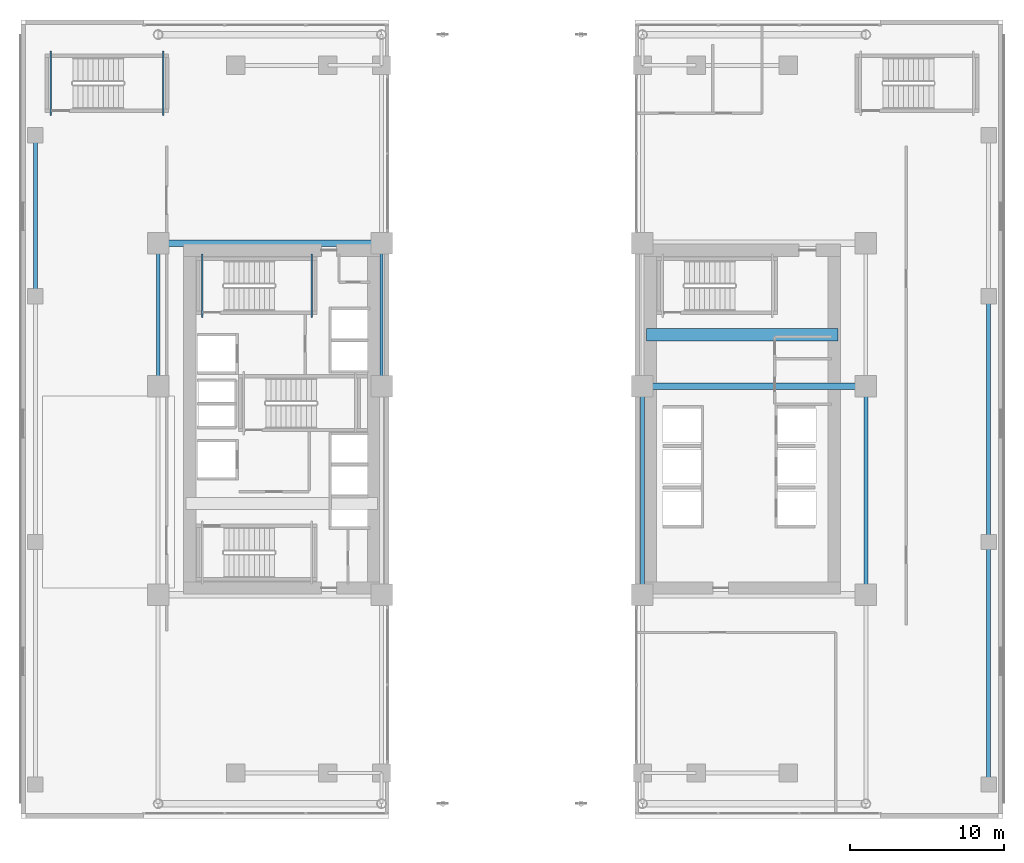
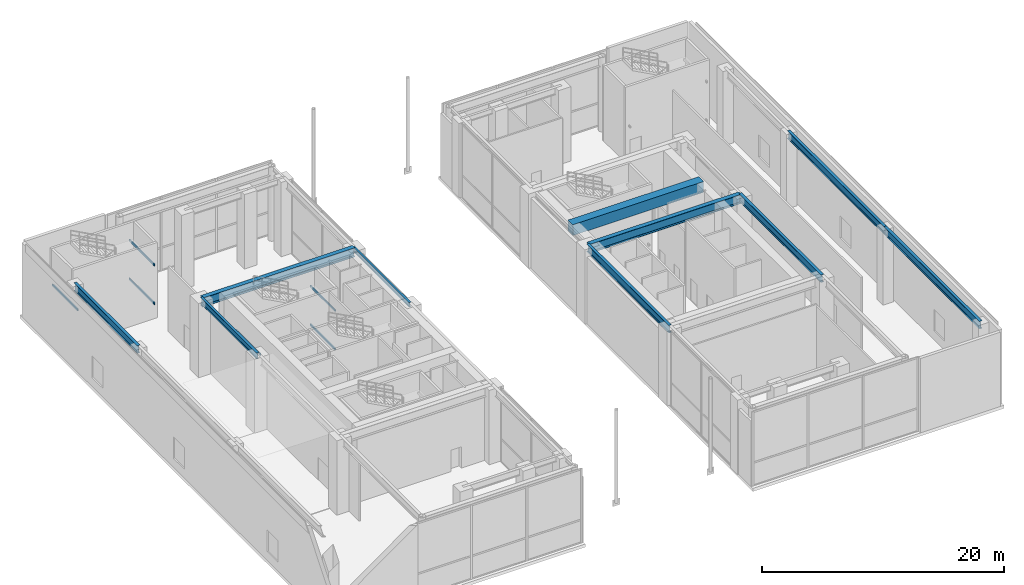
# One storey, part 11 of 29: 16 beams.
"""IFC4 building model written with IfcOpenShell, lengths in metres."""

from ifc_helpers import new_model, si_unit, direction, frame, origin, origin_2d, place, context, subcontext, project, spatial, rectangle, hollow_rectangle, i_section, extrude, source, transform, mapped, material, material_profile, profile_set, type_object, element, save


model = new_model("IFC4")

# Units and contexts
model_context = context("Model", 3, precision=1e-05, world=origin(), true_north=direction((0.0, 1.0)))
body_context = subcontext(model_context, "Body", "Model", "MODEL_VIEW")
ifc_project = project(units=[si_unit("LENGTHUNIT", "METRE"), si_unit("AREAUNIT", "SQUARE_METRE"), si_unit("VOLUMEUNIT", "CUBIC_METRE"), si_unit("PLANEANGLEUNIT", "RADIAN"), si_unit("MASSUNIT", "GRAM", prefix="KILO")], contexts=[model_context])

# Site, building, storey
site_placement = place(None, origin())
site = spatial("IfcSite", under=ifc_project, at=site_placement, CompositionType="ELEMENT")
building_placement = place(site_placement, origin())
building = spatial("IfcBuilding", under=site, at=building_placement, Name="Ocotamira Hotel", CompositionType="ELEMENT")
storey_placement = place(building_placement, frame((0.0, 0.0, 11.39990234375)))
storey = spatial("IfcBuildingStorey", under=building, at=storey_placement, Name="L03", CompositionType="ELEMENT", Elevation=11.39990234375)

# Beams
ifc_material_1 = material(Name="Concrete C60/75", Category="concrete")
ifc_material_profile_1 = material_profile(ifc_material_1, rectangle(XDim=0.800048828125, YDim=1.10009765625, at=origin_2d()), Name="RC800X1100")
ifc_profile_set_1 = profile_set([ifc_material_profile_1], Name="Concrete C60/75")
beam_type_1 = type_object("IfcBeamType", Name="BM-LINK-RC800", PredefinedType="LINTEL", material=ifc_profile_set_1)
shared_shape_1 = source(origin(), body_context, "Body", "SweptSolid", [
    extrude(rectangle(XDim=0.800048828125, YDim=1.10009765625, at=origin_2d()), origin(), (0.0, 0.0, 1.0), 12.5),
])
beam_1_placement = place(storey_placement, frame((40.75, 31.5, 6.960205078125), z_axis=(1.0, 0.0, 0.0), x_axis=(0.0, 1.0, 0.0)))
element("IfcBeam", 1, at=beam_1_placement, inside=storey, type_object=beam_type_1, Name="L03 East Core Coupling Beam", PredefinedType="LINTEL", context=body_context, shape_type="MappedRepresentation", body=[
    mapped(shared_shape_1, transform((0.0, 0.0, 0.0), scale=1.0)),
])
ifc_material_2 = material(Name="Steel ASTM A500 Grade C", Category="steel")
ifc_material_profile_2 = material_profile(ifc_material_2, hollow_rectangle(XDim=0.10009765625, YDim=0.199951171875, WallThickness=0.008056640625, at=origin_2d()), Name="HSS200X100X8")
ifc_profile_set_2 = profile_set([ifc_material_profile_2], Name="Steel ASTM A500 Grade C")
beam_type_2 = type_object("IfcBeamType", Name="BM-STLDG-HSS200", PredefinedType="BEAM", material=ifc_profile_set_2)
shared_shape_2 = source(origin(), body_context, "Body", "SweptSolid", [
    extrude(hollow_rectangle(XDim=0.10009765625, YDim=0.199951171875, WallThickness=0.008056640625, at=origin_2d()), origin(), (0.0, 0.0, 1.0), 4.1201171875),
])
for number, where, z_axis, x_axis, name in (
    (2, (18.949951171875, 32.6298828125, 1.650146484375), (0.0, 1.0, 0.0), (-1.0, 0.0, 0.0), "L03 Stair ST-2 Landing Bearer 1"),
    (3, (11.81005859375, 32.6298828125, 3.60009765625), (0.0, 1.0, 0.0), (-1.0, 0.0, 0.0), "L03 Stair ST-2 Landing Bearer 2"),
    (4, (18.949951171875, 32.6298828125, 5.550048828125), (0.0, 1.0, 0.0), (-1.0, 0.0, 0.0), "L03 Stair ST-2 Landing Bearer 3"),
):
    element("IfcBeam", number, at=place(storey_placement, frame(where, z_axis=z_axis, x_axis=x_axis)), inside=storey, type_object=beam_type_2, Name=name, PredefinedType="BEAM", context=body_context, shape_type="MappedRepresentation", body=[
        mapped(shared_shape_2, transform((0.0, 0.0, 0.0), scale=1.0)),
    ])
shared_shape_3 = source(origin(), body_context, "Body", "SweptSolid", [
    extrude(hollow_rectangle(XDim=0.10009765625, YDim=0.199951171875, WallThickness=0.008056640625, at=origin_2d()), origin(), (0.0, 0.0, 1.0), 4.199951171875),
])
for number, where, z_axis, x_axis, name in (
    (5, (9.280029296875, 45.780029296875, 1.650146484375), (0.0, 1.0, 0.0), (-1.0, 0.0, 0.0), "L03 Stair ST-5 Landing Bearer 1"),
    (6, (1.93994140625, 45.780029296875, 3.60009765625), (0.0, 1.0, 0.0), (-1.0, 0.0, 0.0), "L03 Stair ST-5 Landing Bearer 2"),
    (7, (9.280029296875, 45.780029296875, 5.550048828125), (0.0, 1.0, 0.0), (-1.0, 0.0, 0.0), "L03 Stair ST-5 Landing Bearer 3"),
):
    element("IfcBeam", number, at=place(storey_placement, frame(where, z_axis=z_axis, x_axis=x_axis)), inside=storey, type_object=beam_type_2, Name=name, PredefinedType="BEAM", context=body_context, shape_type="MappedRepresentation", body=[
        mapped(shared_shape_3, transform((0.0, 0.0, 0.0), scale=1.0)),
    ])
ifc_material_3 = material(Name="Steel ASTM A992 Grade 50", Category="steel")
ifc_material_profile_3 = material_profile(ifc_material_3, i_section(OverallWidth=0.41796875, OverallDepth=0.927001953125, WebThickness=0.019287109375, FlangeThickness=0.031982421875, FilletRadius=0.02392578125, at=origin_2d()), Name="W36X231")
ifc_profile_set_3 = profile_set([ifc_material_profile_3], Name="Steel ASTM A992 Grade 50")
beam_type_3 = type_object("IfcBeamType", Name="BM-GIRD-W36X231", PredefinedType="BEAM", material=ifc_profile_set_3)
shared_shape_4 = source(origin(), body_context, "Body", "SweptSolid", [
    extrude(i_section(OverallWidth=0.41796875, OverallDepth=0.927001953125, WebThickness=0.019287109375, FlangeThickness=0.031982421875, FilletRadius=0.02392578125, at=origin_2d()), origin(), (0.0, 0.0, 1.0), 14.550048828125),
])
for number, where, z_axis, x_axis, name in (
    (8, (40.5, 28.14990234375, 7.046630859375), (1.0, 0.0, 0.0), (0.0, 1.0, 0.0), "L03 Girder Y28.15 X40.5-55.05"),
    (9, (8.949951171875, 37.449951171875, 7.046630859375), (1.0, 0.0, 0.0), (0.0, 1.0, 0.0), "L03 Girder Y37.45 X8.95-23.5"),
):
    element("IfcBeam", number, at=place(storey_placement, frame(where, z_axis=z_axis, x_axis=x_axis)), inside=storey, type_object=beam_type_3, Name=name, PredefinedType="BEAM", context=body_context, shape_type="MappedRepresentation", body=[
        mapped(shared_shape_4, transform((0.0, 0.0, 0.0), scale=1.0)),
    ])
ifc_material_profile_4 = material_profile(ifc_material_3, i_section(OverallWidth=0.26611328125, OverallDepth=0.779052734375, WebThickness=0.0166015625, FlangeThickness=0.030029296875, FilletRadius=0.01806640625, at=origin_2d()), Name="W30X148")
ifc_profile_set_4 = profile_set([ifc_material_profile_4], Name="Steel ASTM A992 Grade 50")
beam_type_4 = type_object("IfcBeamType", Name="BM-GIRD-W30X148", PredefinedType="BEAM", material=ifc_profile_set_4)
shared_shape_5 = source(origin(), body_context, "Body", "SweptSolid", [
    extrude(i_section(OverallWidth=0.26611328125, OverallDepth=0.779052734375, WebThickness=0.0166015625, FlangeThickness=0.030029296875, FilletRadius=0.01806640625, at=origin_2d()), origin(), (0.0, 0.0, 1.0), 15.800048828125),
])
beam_2_placement = place(storey_placement, frame((63.050048828125, 2.199951171875, 7.12060546875), z_axis=(0.0, 1.0, 0.0), x_axis=(-1.0, 0.0, 0.0)))
element("IfcBeam", 10, at=beam_2_placement, inside=storey, type_object=beam_type_4, Name="L03 Beam X63.05 Y2.2-18", PredefinedType="BEAM", context=body_context, shape_type="MappedRepresentation", body=[
    mapped(shared_shape_5, transform((0.0, 0.0, 0.0), scale=1.0)),
])
shared_shape_6 = source(origin(), body_context, "Body", "SweptSolid", [
    extrude(i_section(OverallWidth=0.26611328125, OverallDepth=0.779052734375, WebThickness=0.0166015625, FlangeThickness=0.030029296875, FilletRadius=0.01806640625, at=origin_2d()), origin(), (0.0, 0.0, 1.0), 16.0),
])
beam_3_placement = place(storey_placement, frame((63.050048828125, 18.0, 7.12060546875), z_axis=(0.0, 1.0, 0.0), x_axis=(-1.0, 0.0, 0.0)))
element("IfcBeam", 11, at=beam_3_placement, inside=storey, type_object=beam_type_4, Name="L03 Beam X63.05 Y18-34", PredefinedType="BEAM", context=body_context, shape_type="MappedRepresentation", body=[
    mapped(shared_shape_6, transform((0.0, 0.0, 0.0), scale=1.0)),
])
shared_shape_7 = source(origin(), body_context, "Body", "SweptSolid", [
    extrude(i_section(OverallWidth=0.26611328125, OverallDepth=0.779052734375, WebThickness=0.0166015625, FlangeThickness=0.030029296875, FilletRadius=0.01806640625, at=origin_2d()), origin(), (0.0, 0.0, 1.0), 10.5),
])
beam_4_placement = place(storey_placement, frame((0.949951171875, 34.0, 7.12060546875), z_axis=(0.0, 1.0, 0.0), x_axis=(-1.0, 0.0, 0.0)))
element("IfcBeam", 12, at=beam_4_placement, inside=storey, type_object=beam_type_4, Name="L03 Beam X0.95 Y34-44.5", PredefinedType="BEAM", context=body_context, shape_type="MappedRepresentation", body=[
    mapped(shared_shape_7, transform((0.0, 0.0, 0.0), scale=1.0)),
])
shared_shape_8 = source(origin(), body_context, "Body", "SweptSolid", [
    extrude(i_section(OverallWidth=0.26611328125, OverallDepth=0.779052734375, WebThickness=0.0166015625, FlangeThickness=0.030029296875, FilletRadius=0.01806640625, at=origin_2d()), origin(), (0.0, 0.0, 1.0), 13.599853515625),
])
for number, where, z_axis, x_axis, name in (
    (13, (40.5, 14.550048828125, 7.12060546875), (0.0, 1.0, 0.0), (-1.0, 0.0, 0.0), "L03 Beam X40.5 Y14.55-28.15"),
    (14, (55.050048828125, 14.550048828125, 7.12060546875), (0.0, 1.0, 0.0), (-1.0, 0.0, 0.0), "L03 Beam X55.05 Y14.55-28.15"),
):
    element("IfcBeam", number, at=place(storey_placement, frame(where, z_axis=z_axis, x_axis=x_axis)), inside=storey, type_object=beam_type_4, Name=name, PredefinedType="BEAM", context=body_context, shape_type="MappedRepresentation", body=[
        mapped(shared_shape_8, transform((0.0, 0.0, 0.0), scale=1.0)),
    ])
ifc_material_profile_5 = material_profile(ifc_material_3, i_section(OverallWidth=0.22998046875, OverallDepth=0.616943359375, WebThickness=0.01318359375, FlangeThickness=0.022216796875, FilletRadius=0.012939453125, at=origin_2d()), Name="W24X94")
ifc_profile_set_5 = profile_set([ifc_material_profile_5], Name="Steel ASTM A992 Grade 50")
beam_type_5 = type_object("IfcBeamType", Name="BM-PRIM-W24X94", PredefinedType="BEAM", material=ifc_profile_set_5)
shared_shape_9 = source(origin(), body_context, "Body", "SweptSolid", [
    extrude(i_section(OverallWidth=0.22998046875, OverallDepth=0.616943359375, WebThickness=0.01318359375, FlangeThickness=0.022216796875, FilletRadius=0.012939453125, at=origin_2d()), origin(), (0.0, 0.0, 1.0), 9.300048828125),
])
beam_5_placement = place(storey_placement, frame((8.949951171875, 28.14990234375, 7.20166015625), z_axis=(0.0, 1.0, 0.0), x_axis=(-1.0, 0.0, 0.0)))
element("IfcBeam", 15, at=beam_5_placement, inside=storey, type_object=beam_type_5, Name="L03 Beam X8.95 Y28.15-37.45", PredefinedType="BEAM", context=body_context, shape_type="MappedRepresentation", body=[
    mapped(shared_shape_9, transform((0.0, 0.0, 0.0), scale=1.0)),
])
ifc_material_profile_6 = material_profile(ifc_material_3, i_section(OverallWidth=0.18994140625, OverallDepth=0.45703125, WebThickness=0.009033203125, FlangeThickness=0.014404296875, FilletRadius=0.010009765625, at=origin_2d()), Name="W18X50")
ifc_profile_set_6 = profile_set([ifc_material_profile_6], Name="Steel ASTM A992 Grade 50")
beam_type_6 = type_object("IfcBeamType", Name="BM-SEC-W18X50", PredefinedType="JOIST", material=ifc_profile_set_6)
shared_shape_10 = source(origin(), body_context, "Body", "SweptSolid", [
    extrude(i_section(OverallWidth=0.18994140625, OverallDepth=0.45703125, WebThickness=0.009033203125, FlangeThickness=0.014404296875, FilletRadius=0.010009765625, at=origin_2d()), origin(), (0.0, 0.0, 1.0), 9.300048828125),
])
beam_6_placement = place(storey_placement, frame((23.5, 28.14990234375, 7.281494140625), z_axis=(0.0, 1.0, 0.0), x_axis=(-1.0, 0.0, 0.0)))
element("IfcBeam", 16, at=beam_6_placement, inside=storey, type_object=beam_type_6, Name="L03 Beam X23.5 Y28.15-37.45", PredefinedType="JOIST", context=body_context, shape_type="MappedRepresentation", body=[
    mapped(shared_shape_10, transform((0.0, 0.0, 0.0), scale=1.0)),
])

save(model, "model.ifc")
